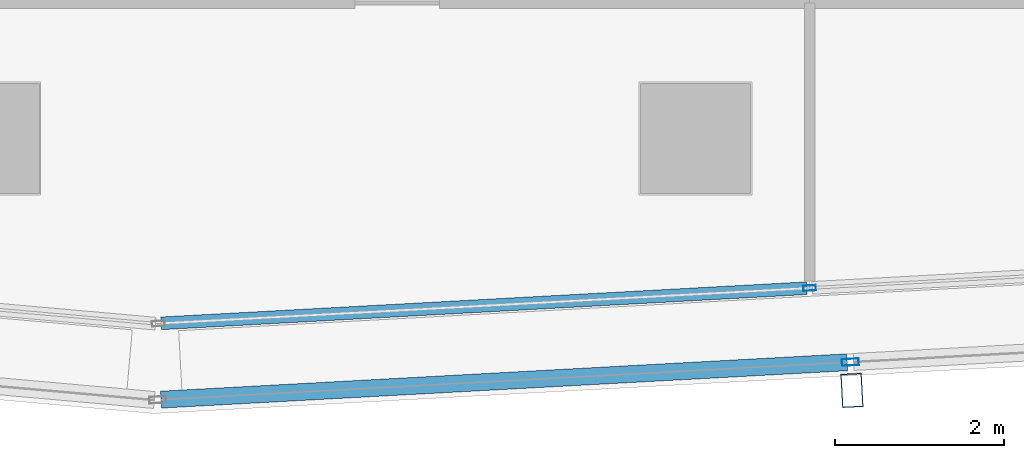
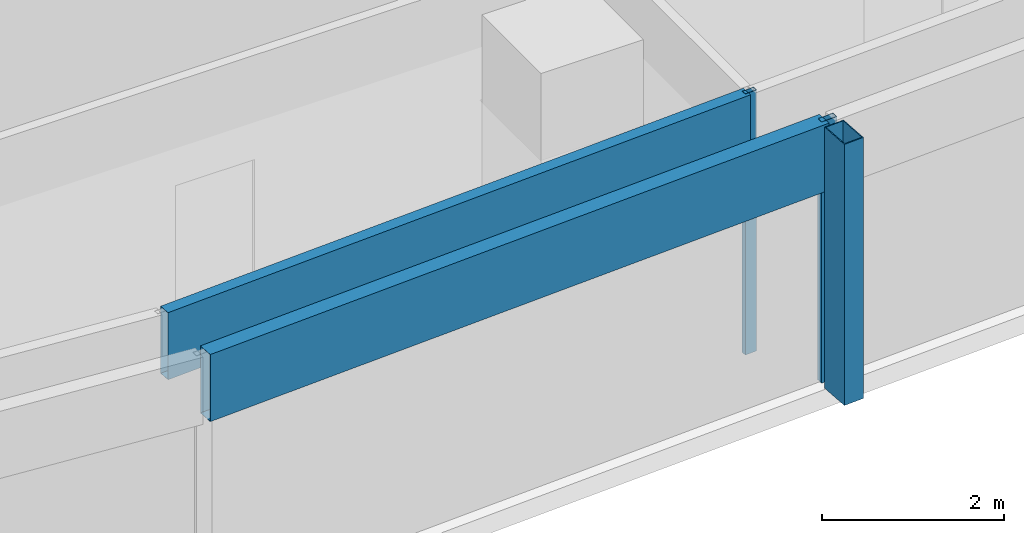
# One storey, part 6 of 30: 5 members, 2 elements without a shape of their own.
"""IFC4 building model written with IfcOpenShell, lengths in metres."""

from ifc_helpers import new_model, si_unit, direction, frame, origin, origin_2d, place, context, subcontext, project, spatial, hollow_rectangle, extrude, material, material_profile, profile_set, type_object, element, aggregate, save


model = new_model("IFC4")

# Units and contexts
model_context = context("Model", 3, precision=1e-05, world=origin(), true_north=direction((0.0, 1.0)))
body_context = subcontext(model_context, "Body", "Model", "MODEL_VIEW")
ifc_project = project(units=[si_unit("LENGTHUNIT", "METRE"), si_unit("AREAUNIT", "SQUARE_METRE"), si_unit("VOLUMEUNIT", "CUBIC_METRE"), si_unit("PLANEANGLEUNIT", "RADIAN"), si_unit("MASSUNIT", "GRAM", prefix="KILO")], contexts=[model_context])

# Site, building, storey
site_placement = place(None, origin())
site = spatial("IfcSite", under=ifc_project, at=site_placement, CompositionType="ELEMENT")
building_placement = place(site_placement, origin())
building = spatial("IfcBuilding", under=site, at=building_placement, Name="Rekha Terrace Tower", CompositionType="ELEMENT")
storey_placement = place(building_placement, frame((0.0, 0.0, 265.10009765625)))
storey = spatial("IfcBuildingStorey", under=building, at=storey_placement, Name="L67", CompositionType="ELEMENT", Elevation=265.10009765625)

# Curtain wall, member
ifc_material_1 = material(Name="Aluminium framing", Category="aluminium")
curtain_wall_type_1 = type_object("IfcCurtainWallType", Name="CW2 double skin outer glazing", PredefinedType="USERDEFINED", material=ifc_material_1)
curtain_wall_1_placement = place(storey_placement, origin())
curtain_wall_1 = element("IfcCurtainWall", 1, at=curtain_wall_1_placement, inside=storey, type_object=curtain_wall_type_1, Name="CW2 double skin outer glazing", ObjectType="DOUBLE SKIN OUTER GLAZING", PredefinedType="USERDEFINED")
ifc_material_2 = material(Name="Steel S355 with fluorocarbon finish", Category="steel")
ifc_material_profile_1 = material_profile(ifc_material_2, hollow_rectangle(XDim=0.25, YDim=0.39990234375, WallThickness=0.012451171875, at=origin_2d()), Name="RHS400x250x12.5")
ifc_profile_set_1 = profile_set([ifc_material_profile_1], Name="Steel S355 with fluorocarbon finish")
member_type_1 = type_object("IfcMemberType", Name="BL1 facade blade RHS 400 x 250", PredefinedType="USERDEFINED", material=ifc_profile_set_1)
member_1_placement = place(storey_placement, frame((35.4482421875, 13.82373046875, 0.0), z_axis=(0.0, 0.0, 1.0), x_axis=(0.99851982155, 0.054389024366, 0.0)))
member_1 = element("IfcMember", 2, at=member_1_placement, type_object=member_type_1, Name="Facade blade", ObjectType="FACADE BLADE", PredefinedType="USERDEFINED", context=body_context, shape_type="SweptSolid", body=[
    extrude(hollow_rectangle(XDim=0.25, YDim=0.39990234375, WallThickness=0.012451171875, at=origin_2d()), origin(), (0.0, 0.0, 1.0), 3.5),
])

# Curtain wall, members
curtain_wall_type_2 = type_object("IfcCurtainWallType", Name="CW1 double skin inner glazing", PredefinedType="USERDEFINED", material=ifc_material_1)
curtain_wall_2_placement = place(storey_placement, origin())
curtain_wall_2 = element("IfcCurtainWall", 3, at=curtain_wall_2_placement, inside=storey, type_object=curtain_wall_type_2, Name="CW1 double skin inner glazing", ObjectType="DOUBLE SKIN INNER GLAZING", PredefinedType="USERDEFINED")
ifc_material_3 = material(Name="Aluminium mullion section", Category="aluminium")
ifc_material_profile_2 = material_profile(ifc_material_3, hollow_rectangle(XDim=0.06494140625, YDim=0.14990234375, WallThickness=0.00390625, at=origin_2d()), Name="AL RHS 65x150")
ifc_profile_set_2 = profile_set([ifc_material_profile_2], Name="Aluminium mullion section")
member_type_2 = type_object("IfcMemberType", Name="CW1 mullion RHS 65 x 150", PredefinedType="MULLION", material=ifc_profile_set_2)
member_2_placement = place(storey_placement, frame((34.94775390625, 15.033447265625, 0.0), z_axis=(0.0, 0.0, 1.0), x_axis=(-0.054388903036, 0.998519828159, 0.0)))
member_2 = element("IfcMember", 4, at=member_2_placement, type_object=member_type_2, Name="CW1 mullion 2", PredefinedType="MULLION", context=body_context, shape_type="SweptSolid", body=[
    extrude(hollow_rectangle(XDim=0.06494140625, YDim=0.14990234375, WallThickness=0.00390625, at=origin_2d()), origin(), (0.0, 0.0, 1.0), 3.5),
])
ifc_material_4 = material(Name="Insulated aluminium spandrel box", Category="aluminium")
ifc_material_profile_3 = material_profile(ifc_material_4, hollow_rectangle(XDim=0.14990234375, YDim=0.89990234375, WallThickness=0.0029296875, at=origin_2d()), Name="AL SPANDREL BOX 150x900")
ifc_profile_set_3 = profile_set([ifc_material_profile_3], Name="Insulated aluminium spandrel box")
member_type_3 = type_object("IfcMemberType", Name="CW1 spandrel transom 150 x 900", PredefinedType="USERDEFINED", material=ifc_profile_set_3)
member_3_placement = place(storey_placement, frame((27.287109375, 14.6162109375, 3.0498046875), z_axis=(0.998521390426, 0.054360213958, 0.0), x_axis=(-0.054360213958, 0.998521390426, 0.0)))
member_3 = element("IfcMember", 5, at=member_3_placement, type_object=member_type_3, Name="CW1 spandrel transom 1", ObjectType="TRANSOM", PredefinedType="USERDEFINED", context=body_context, shape_type="SweptSolid", body=[
    extrude(hollow_rectangle(XDim=0.14990234375, YDim=0.89990234375, WallThickness=0.0029296875, at=origin_2d()), origin(), (0.0, 0.0, 1.0), 7.639404296875),
])
aggregate(curtain_wall_2, [member_2, member_3])

# Member
ifc_material_profile_4 = material_profile(ifc_material_3, hollow_rectangle(XDim=0.080078125, YDim=0.199951171875, WallThickness=0.00390625, at=origin_2d()), Name="AL RHS 80x200")
ifc_profile_set_4 = profile_set([ifc_material_profile_4], Name="Aluminium mullion section")
member_type_4 = type_object("IfcMemberType", Name="CW2 mullion RHS 80 x 200", PredefinedType="MULLION", material=ifc_profile_set_4)
member_4_placement = place(storey_placement, frame((35.429931640625, 14.158203125, 0.0), z_axis=(0.0, 0.0, 1.0), x_axis=(-0.054388903071, 0.998519828157, 0.0)))
member_4 = element("IfcMember", 6, at=member_4_placement, type_object=member_type_4, Name="CW2 mullion 2", PredefinedType="MULLION", context=body_context, shape_type="SweptSolid", body=[
    extrude(hollow_rectangle(XDim=0.080078125, YDim=0.199951171875, WallThickness=0.00390625, at=origin_2d()), origin(), (0.0, 0.0, 1.0), 3.5),
])

ifc_material_profile_5 = material_profile(ifc_material_4, hollow_rectangle(XDim=0.199951171875, YDim=0.89990234375, WallThickness=0.0029296875, at=origin_2d()), Name="AL SPANDREL BOX 200x900")
ifc_profile_set_5 = profile_set([ifc_material_profile_5], Name="Insulated aluminium spandrel box")
member_type_5 = type_object("IfcMemberType", Name="CW2 spandrel transom 200 x 900", PredefinedType="USERDEFINED", material=ifc_profile_set_5)
member_5_placement = place(storey_placement, frame((27.28662109375, 13.71484375, 3.0498046875), z_axis=(0.998521383998, 0.054360332034, 0.0), x_axis=(-0.054360332034, 0.998521383998, 0.0)))
member_5 = element("IfcMember", 7, at=member_5_placement, type_object=member_type_5, Name="CW2 spandrel transom 1", ObjectType="TRANSOM", PredefinedType="USERDEFINED", context=body_context, shape_type="SweptSolid", body=[
    extrude(hollow_rectangle(XDim=0.199951171875, YDim=0.89990234375, WallThickness=0.0029296875, at=origin_2d()), origin(), (0.0, 0.0, 1.0), 8.115478515625),
])

aggregate(curtain_wall_1, [member_4, member_5, member_1])

save(model, "model.ifc")
